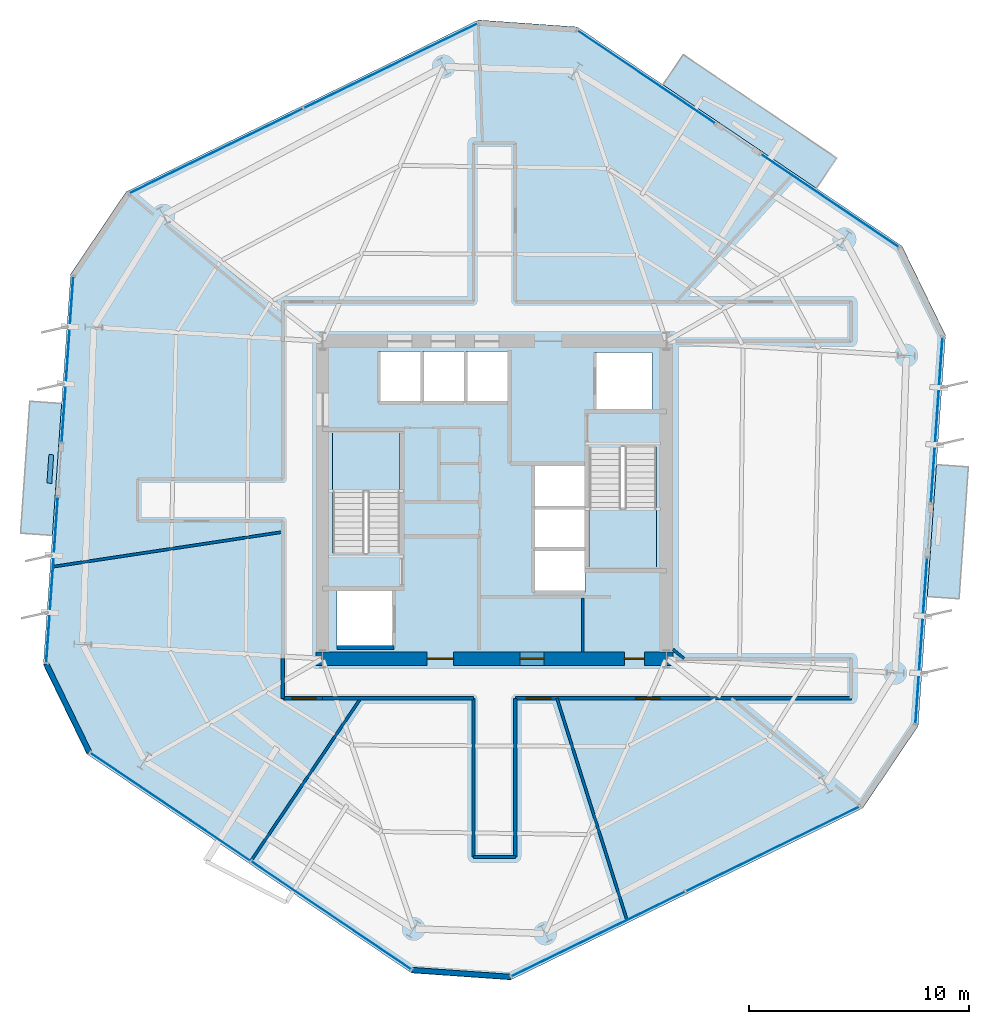
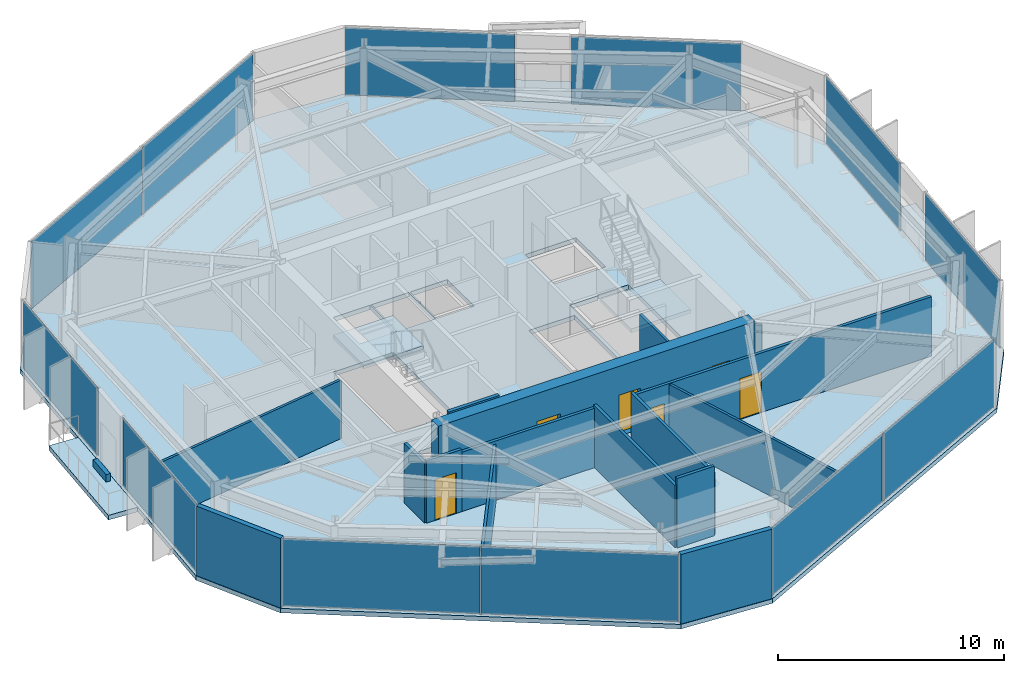
# One storey, part 6 of 14: 17 walls, 12 plates, 6 doors, 6 slabs, 6 openings, 11 elements without a shape of their own.
"""IFC4 building model written with IfcOpenShell, lengths in metres."""

import ifcopenshell
import ifcopenshell.guid

model = None  # the IFC model being written
_history = None  # IfcOwnerHistory: only IFC2X3 demands one
_inside = {}  # id of a spatial element -> (the spatial element, [elements in it])
_under = {}  # id of a project, library or spatial element -> (it, [spatial elements below it])
_declared = {}  # id of a project -> (the project, [libraries it declares])
_typed = {}  # id of a type object -> (the type object, [elements of that type])
_made_of = {}  # id of a material, layer set ... -> (it, [elements and type objects made of it])


def new_model(schema):
    """Start an empty IFC model of exactly this schema.

    Asked for "IFC4X3", IfcOpenShell would pick the latest addendum, in which some entities
    have other attributes; the version numbers below select the first issue.
    IFC2X3 requires an IfcOwnerHistory on every rooted entity: one is made here for all.
    """
    global model, _history
    if schema == "IFC4X3":
        model = ifcopenshell.file(schema_version=(4, 3, 0, 0))
    else:
        model = ifcopenshell.file(schema=schema)
    _inside.clear()
    _under.clear()
    _declared.clear()
    _typed.clear()
    _made_of.clear()
    _history = None
    if model.schema == "IFC2X3":
        org = make("IfcOrganization", Name="unknown")
        user = make(
            "IfcPersonAndOrganization",
            ThePerson=make("IfcPerson", FamilyName="unknown"),
            TheOrganization=org,
        )
        app = make(
            "IfcApplication",
            ApplicationDeveloper=org,
            Version="unknown",
            ApplicationFullName="unknown",
            ApplicationIdentifier="unknown",
        )
        _history = make(
            "IfcOwnerHistory",
            OwningUser=user,
            OwningApplication=app,
            ChangeAction="ADDED",
            CreationDate=0,
        )
    return model


def make(cls, **values):
    """One entity of the class cls with the attributes given. An attribute that is None is left unset."""
    return model.create_entity(
        cls, **{name: value for name, value in values.items() if value is not None}
    )


def rooted(cls, **values):
    """An entity with a GlobalId (a new one), such as an element, a storey or a relation."""
    return make(cls, GlobalId=ifcopenshell.guid.new(), OwnerHistory=_history, **values)


def si_unit(unit_type, name, prefix=None):
    """IfcSIUnit, for example si_unit("LENGTHUNIT", "METRE", prefix="MILLI")."""
    return make("IfcSIUnit", UnitType=unit_type, Prefix=prefix, Name=name)


def assignment(units):
    """IfcUnitAssignment: the units of a project."""
    return None if units is None else make("IfcUnitAssignment", Units=units)


def point(xyz):
    """IfcCartesianPoint."""
    return None if xyz is None else make("IfcCartesianPoint", Coordinates=xyz)


def direction(xyz):
    """IfcDirection."""
    return None if xyz is None else make("IfcDirection", DirectionRatios=xyz)


def frame(location, z_axis=None, x_axis=None):
    """IfcAxis2Placement3D, a coordinate frame: its origin and axes. An axis left out is left unset."""
    return make(
        "IfcAxis2Placement3D",
        Location=point(location),
        Axis=direction(z_axis),
        RefDirection=direction(x_axis),
    )


def frame_2d(location, x_axis=None):
    """IfcAxis2Placement2D, a coordinate frame in the plane: its origin and x axis."""
    return make(
        "IfcAxis2Placement2D", Location=point(location), RefDirection=direction(x_axis)
    )


def origin():
    """The frame at (0, 0, 0) with its axes left unset."""
    return frame((0.0, 0.0, 0.0))


def origin_2d():
    """The frame at (0, 0) in the plane with its x axis left unset."""
    return frame_2d((0.0, 0.0))


def place(relative_to, where):
    """IfcLocalPlacement: puts the frame where relative to a parent placement (None: the world)."""
    return make(
        "IfcLocalPlacement", PlacementRelTo=relative_to, RelativePlacement=where
    )


def context(
    kind, dimensions, precision=None, world=None, true_north=None, identifier=None
):
    """IfcGeometricRepresentationContext, for example the 3D "Model" context."""
    return make(
        "IfcGeometricRepresentationContext",
        ContextIdentifier=identifier,
        ContextType=kind,
        CoordinateSpaceDimension=dimensions,
        Precision=precision,
        WorldCoordinateSystem=world,
        TrueNorth=true_north,
    )


def subcontext(parent, identifier, kind, view, scale=None):
    """IfcGeometricRepresentationSubContext, for example "Body" below "Model"."""
    return make(
        "IfcGeometricRepresentationSubContext",
        ContextIdentifier=identifier,
        ContextType=kind,
        ParentContext=parent,
        TargetScale=scale,
        TargetView=view,
    )


def project(units=None, contexts=None):
    """IfcProject with its units and contexts."""
    return rooted(
        "IfcProject",
        Name="project",
        RepresentationContexts=contexts,
        UnitsInContext=assignment(units),
    )


def spatial(cls, under=None, at=None, **own):
    """A site, building, storey or space (cls), placed at a placement, below another one or the project."""
    s = rooted(cls, ObjectPlacement=at, **own)
    if under is not None:
        _under.setdefault(under.id(), (under, []))[1].append(s)
    return s


def polyline(points):
    """IfcPolyline through the points."""
    return make("IfcPolyline", Points=[point(p) for p in points])


def profile(cls, at=None, kind="AREA", **sizes):
    """A parametric profile (cls). Its sizes go by their IFC names, for example OverallWidth=200.0."""
    return make(cls, ProfileType=kind, Position=at, **sizes)


def rectangle(**sizes):
    """IfcRectangleProfileDef."""
    return profile("IfcRectangleProfileDef", **sizes)


def outline(outer, holes=None, kind="AREA"):
    """IfcArbitraryClosedProfileDef: a profile drawn as a closed curve; with holes, ...WithVoids."""
    if holes is None:
        return make("IfcArbitraryClosedProfileDef", ProfileType=kind, OuterCurve=outer)
    return make(
        "IfcArbitraryProfileDefWithVoids",
        ProfileType=kind,
        OuterCurve=outer,
        InnerCurves=holes,
    )


def extrude(swept, where, along, depth):
    """IfcExtrudedAreaSolid: the profile swept, set in the frame where, extruded along a direction by depth."""
    return make(
        "IfcExtrudedAreaSolid",
        SweptArea=swept,
        Position=where,
        ExtrudedDirection=direction(along),
        Depth=depth,
    )


def shape(context_of_items, identifier, shape_type, items):
    """IfcShapeRepresentation: the items that make up one representation, for example the "Body"."""
    return make(
        "IfcShapeRepresentation",
        ContextOfItems=context_of_items,
        RepresentationIdentifier=identifier,
        RepresentationType=shape_type,
        Items=items,
    )


def material(Name=None, Category=None):
    """IfcMaterial."""
    return make("IfcMaterial", Name=Name, Category=Category)


def layer(
    of_material, thickness, ventilated=None, Name=None, Category=None, Priority=None
):
    """IfcMaterialLayer: one layer of a wall or slab, of a material (None: an air gap)."""
    return make(
        "IfcMaterialLayer",
        Material=of_material,
        LayerThickness=thickness,
        IsVentilated=ventilated,
        Name=Name,
        Category=Category,
        Priority=Priority,
    )


def layer_set(layers, Name=None):
    """IfcMaterialLayerSet."""
    return make("IfcMaterialLayerSet", MaterialLayers=layers, LayerSetName=Name)


def made_of(thing, what):
    """Note that an element or type object is made of a material, layer set ...; save() writes the relation."""
    if what is not None:
        _made_of.setdefault(what.id(), (what, []))[1].append(thing)
    return thing


def type_object(cls, material=None, **own):
    """A type object (cls), such as IfcWallType, which elements share."""
    return made_of(rooted(cls, **own), material)


def element(
    cls,
    number,
    at=None,
    inside=None,
    cuts=None,
    type_object=None,
    material=None,
    context=None,
    identifier="Body",
    shape_type=None,
    held_by="IfcProductDefinitionShape",
    body=None,
    shapes=None,
    **own,
):
    """One element of the class cls, such as IfcWall. Its Tag is "e" and its number.

    at: its placement. inside: the storey or other place that contains it. cuts: it is an
    opening in that element (IfcRelVoidsElement). A single representation is given by context,
    identifier, shape_type and body (its items); several are given by shapes. held_by: the class
    of the entity that holds the representations. save() writes the other relations.
    """
    e = rooted(cls, Tag="e%d" % number, ObjectPlacement=at, **own)
    if body is not None:
        shapes = [shape(context, identifier, shape_type, body)]
    if shapes is not None:
        e.Representation = make(held_by, Representations=shapes)
    if inside is not None:
        _inside.setdefault(inside.id(), (inside, []))[1].append(e)
    if cuts is not None:
        rooted(
            "IfcRelVoidsElement", RelatingBuildingElement=cuts, RelatedOpeningElement=e
        )
    if type_object is not None:
        _typed.setdefault(type_object.id(), (type_object, []))[1].append(e)
    return made_of(e, material)


def fill(opening, filler):
    """IfcRelFillsElement: the door or window that sits in an opening."""
    return rooted(
        "IfcRelFillsElement",
        RelatingOpeningElement=opening,
        RelatedBuildingElement=filler,
    )


def aggregate(whole, parts):
    """IfcRelAggregates: a whole, such as a stair, and the parts it consists of."""
    return rooted("IfcRelAggregates", RelatingObject=whole, RelatedObjects=parts)


def save(model, path):
    """Write the relations noted so far, then the file.

    IfcRelAggregates (storeys below a building ...), IfcRelContainedInSpatialStructure (elements
    in a storey), IfcRelDefinesByType, IfcRelAssociatesMaterial and IfcRelDeclares: one each for
    every whole, place, type object, material and project.
    """
    for whole, parts in _under.values():
        aggregate(whole, parts)
    for where, things in _inside.values():
        rooted(
            "IfcRelContainedInSpatialStructure",
            RelatedElements=things,
            RelatingStructure=where,
        )
    for kind, things in _typed.values():
        rooted("IfcRelDefinesByType", RelatedObjects=things, RelatingType=kind)
    for what, things in _made_of.values():
        rooted("IfcRelAssociatesMaterial", RelatedObjects=things, RelatingMaterial=what)
    for by, libraries in _declared.values():
        rooted("IfcRelDeclares", RelatingContext=by, RelatedDefinitions=libraries)
    model.write(path)


model = new_model("IFC4")

# Units and contexts
model_context = context("Model", 3, precision=1e-05, world=origin(), true_north=direction((0.0, 1.0)))
body_context = subcontext(model_context, "Body", "Model", "MODEL_VIEW")
ifc_project = project(units=[si_unit("LENGTHUNIT", "METRE"), si_unit("AREAUNIT", "SQUARE_METRE"), si_unit("VOLUMEUNIT", "CUBIC_METRE"), si_unit("PLANEANGLEUNIT", "RADIAN"), si_unit("MASSUNIT", "GRAM", prefix="KILO")], contexts=[model_context])

# Site, building, storey
site_placement = place(None, origin())
site = spatial("IfcSite", under=ifc_project, at=site_placement, CompositionType="ELEMENT")
building_placement = place(site_placement, origin())
building = spatial("IfcBuilding", under=site, at=building_placement, Name="Kranzbogen Civic Tower", CompositionType="ELEMENT")
storey_placement = place(building_placement, frame((0.0, 0.0, 126.39990234375)))
storey = spatial("IfcBuildingStorey", under=building, at=storey_placement, Name="L30", CompositionType="ELEMENT", Elevation=126.39990234375)

# Slab
ifc_material_1 = material(Name="Concrete C40/50", Category="concrete")
ifc_layer_1 = layer(ifc_material_1, 0.239990234375, Name="Concrete C40/50")
ifc_layer_set_1 = layer_set([ifc_layer_1], Name="Concrete C40/50")
slab_type_1 = type_object("IfcSlabType", Name="Composite Lower Tower Floor Slab 240 mm", PredefinedType="FLOOR", material=ifc_layer_set_1)
slab_1_placement = place(storey_placement, frame((0.0, 0.0, -0.239990234375)))
element("IfcSlab", 1, at=slab_1_placement, inside=storey, type_object=slab_type_1, Name="L30 tower floor slab", PredefinedType="FLOOR", context=body_context, shape_type="SweptSolid", body=[
    extrude(outline(polyline([(43.4990234375, 36.52587890625), (28.757080078125, 46.469970703125), (24.26806640625, 46.783935546875), (8.284912109375, 38.988037109375), (5.76904296875, 35.258056640625), (4.528076171875, 17.51904296875), (6.5009765625, 13.47412109375), (21.242919921875, 3.530029296875), (25.73193359375, 3.216064453125), (41.715087890625, 11.011962890625), (44.23095703125, 14.741943359375), (45.471923828125, 32.48095703125), (43.4990234375, 36.52587890625)]), holes=[polyline([(20.449951171875, 20.89990234375), (20.449951171875, 18.300048828125), (17.85009765625, 18.300048828125), (17.85009765625, 20.89990234375), (20.449951171875, 20.89990234375)]), polyline([(29.10009765625, 22.699951171875), (29.10009765625, 20.800048828125), (26.75, 20.800048828125), (26.75, 22.699951171875), (29.10009765625, 22.699951171875)]), polyline([(29.10009765625, 24.64990234375), (29.10009765625, 22.77490234375), (26.75, 22.77490234375), (26.75, 24.64990234375), (26.75, 24.675048828125), (26.75, 26.550048828125), (29.10009765625, 26.550048828125), (29.10009765625, 24.675048828125), (29.10009765625, 24.64990234375)]), polyline([(30.75, 27.340087890625), (30.75, 27.39990234375), (32.35009765625, 27.39990234375), (32.35009765625, 21.89990234375), (29.300048828125, 21.89990234375), (29.300048828125, 27.340087890625), (30.75, 27.340087890625)]), polyline([(19.25, 22.659912109375), (19.25, 22.60009765625), (17.64990234375, 22.60009765625), (17.64990234375, 28.10009765625), (20.699951171875, 28.10009765625), (20.699951171875, 22.659912109375), (19.25, 22.659912109375)]), polyline([(32.14990234375, 31.699951171875), (32.14990234375, 29.10009765625), (29.550048828125, 29.10009765625), (29.550048828125, 31.699951171875), (32.14990234375, 31.699951171875)]), polyline([(21.64990234375, 31.75), (21.64990234375, 29.39990234375), (19.75, 29.39990234375), (19.75, 31.75), (21.64990234375, 31.75)]), polyline([(23.625, 29.39990234375), (21.72509765625, 29.39990234375), (21.72509765625, 31.75), (23.625, 31.75), (23.625, 29.39990234375)]), polyline([(25.60009765625, 29.39990234375), (23.699951171875, 29.39990234375), (23.699951171875, 31.75), (25.60009765625, 31.75), (25.60009765625, 29.39990234375)])]), origin(), (0.0, 0.0, 1.0), 0.239990234375),
])

# Curtain wall, plate
ifc_material_2 = material(Name="Pale Anodised Aluminium", Category="aluminium")
ifc_layer_2 = layer(ifc_material_2, 0.219970703125, Name="Pale Anodised Aluminium")
ifc_layer_set_2 = layer_set([ifc_layer_2], Name="Pale Anodised Aluminium")
curtain_wall_type = type_object("IfcCurtainWallType", Name="Zone 2 Stick Curtain Wall System CW-03", PredefinedType="USERDEFINED", material=ifc_layer_set_2)
curtain_wall_1_placement = place(storey_placement, origin())
curtain_wall_1 = element("IfcCurtainWall", 2, at=curtain_wall_1_placement, inside=storey, type_object=curtain_wall_type, Name="L30 curtain wall CW-L30-F1-S1", ObjectType="STICK CURTAIN WALL", PredefinedType="USERDEFINED")
ifc_material_3 = material(Name="Low-E Triple Glazing Glass", Category="glass")
ifc_layer_3 = layer(ifc_material_3, 0.031982421875, Name="Low-E Triple Glazing Glass")
ifc_layer_set_3 = layer_set([ifc_layer_3], Name="Low-E Triple Glazing Glass")
plate_type = type_object("IfcPlateType", Name="Insulated Low-E Glazing Panel 32 mm", PredefinedType="CURTAIN_PANEL", material=ifc_layer_set_3)
plate_1_placement = place(storey_placement, frame((40.215576171875, 38.58642578125, 0.06005859375), z_axis=(0.0, 0.0, 1.0), x_axis=(-0.829035410899, 0.559196108244, 0.0)))
plate_1 = element("IfcPlate", 3, at=plate_1_placement, type_object=plate_type, Name="CW-03 panel 1.1", PredefinedType="CURTAIN_PANEL", context=body_context, shape_type="SweptSolid", body=[
    extrude(rectangle(XDim=7.51416015625, YDim=0.028076171875, at=origin_2d()), origin(), (0.0, 0.0, 1.0), 3.639892578125),
])
aggregate(curtain_wall_1, [plate_1])

curtain_wall_2_placement = place(storey_placement, origin())
curtain_wall_2 = element("IfcCurtainWall", 4, at=curtain_wall_2_placement, inside=storey, type_object=curtain_wall_type, Name="L30 curtain wall CW-L30-F1-S2", ObjectType="STICK CURTAIN WALL", PredefinedType="USERDEFINED")
plate_2_placement = place(storey_placement, frame((31.8974609375, 44.197509765625, 0.06005859375), z_axis=(0.0, 0.0, 1.0), x_axis=(-0.829035410899, 0.559196108244, 0.0)))
plate_2 = element("IfcPlate", 5, at=plate_2_placement, type_object=plate_type, Name="CW-03 panel 1.1", PredefinedType="CURTAIN_PANEL", context=body_context, shape_type="SweptSolid", body=[
    extrude(rectangle(XDim=7.51416015625, YDim=0.028076171875, at=origin_2d()), origin(), (0.0, 0.0, 1.0), 3.639892578125),
])
aggregate(curtain_wall_2, [plate_2])

# Curtain wall, plates
curtain_wall_3_placement = place(storey_placement, origin())
curtain_wall_3 = element("IfcCurtainWall", 6, at=curtain_wall_3_placement, inside=storey, type_object=curtain_wall_type, Name="L30 curtain wall CW-L30-F2", ObjectType="STICK CURTAIN WALL", PredefinedType="USERDEFINED")
plate_3_placement = place(storey_placement, frame((20.289306640625, 44.700927734375, 0.06005859375), z_axis=(0.0, 0.0, 1.0), x_axis=(-0.8987869382, -0.438385720252, 0.0)))
plate_3 = element("IfcPlate", 7, at=plate_3_placement, type_object=plate_type, Name="CW-03 panel 1.1", PredefinedType="CURTAIN_PANEL", context=body_context, shape_type="SweptSolid", body=[
    extrude(rectangle(XDim=8.74462890625, YDim=0.028076171875, at=origin_2d()), origin(), (0.0, 0.0, 1.0), 3.639892578125),
])
plate_4_placement = place(storey_placement, frame((12.375732421875, 40.841064453125, 0.06005859375), z_axis=(0.0, 0.0, 1.0), x_axis=(-0.8987869382, -0.438385720252, 0.0)))
plate_4 = element("IfcPlate", 8, at=plate_4_placement, type_object=plate_type, Name="CW-03 panel 2.1", PredefinedType="CURTAIN_PANEL", context=body_context, shape_type="SweptSolid", body=[
    extrude(rectangle(XDim=8.74462890625, YDim=0.028076171875, at=origin_2d()), origin(), (0.0, 0.0, 1.0), 3.639892578125),
])
aggregate(curtain_wall_3, [plate_3, plate_4])

# Curtain wall, plate
curtain_wall_4_placement = place(storey_placement, origin())
curtain_wall_4 = element("IfcCurtainWall", 9, at=curtain_wall_4_placement, inside=storey, type_object=curtain_wall_type, Name="L30 curtain wall CW-L30-F3-S1", ObjectType="STICK CURTAIN WALL", PredefinedType="USERDEFINED")
plate_5_placement = place(storey_placement, frame((5.62646484375, 31.384033203125, 0.06005859375), z_axis=(0.0, 0.0, 1.0), x_axis=(-0.069813486474, -0.997560061904, 0.0)))
plate_5 = element("IfcPlate", 10, at=plate_5_placement, type_object=plate_type, Name="CW-03 panel 1.1", PredefinedType="CURTAIN_PANEL", context=body_context, shape_type="SweptSolid", body=[
    extrude(rectangle(XDim=7.5146484375, YDim=0.028076171875, at=origin_2d()), origin(), (0.0, 0.0, 1.0), 3.639892578125),
])
aggregate(curtain_wall_4, [plate_5])

curtain_wall_5_placement = place(storey_placement, origin())
curtain_wall_5 = element("IfcCurtainWall", 11, at=curtain_wall_5_placement, inside=storey, type_object=curtain_wall_type, Name="L30 curtain wall CW-L30-F3-S2", ObjectType="STICK CURTAIN WALL", PredefinedType="USERDEFINED")
plate_6_placement = place(storey_placement, frame((4.925537109375, 21.37451171875, 0.06005859375), z_axis=(0.0, 0.0, 1.0), x_axis=(-0.069822609681, -0.997559423382, 0.0)))
plate_6 = element("IfcPlate", 12, at=plate_6_placement, type_object=plate_type, Name="CW-03 panel 1.1", PredefinedType="CURTAIN_PANEL", context=body_context, shape_type="SweptSolid", body=[
    extrude(rectangle(XDim=7.513671875, YDim=0.028076171875, at=origin_2d()), origin(), (0.0, 0.0, 1.0), 3.639892578125),
])
aggregate(curtain_wall_5, [plate_6])

# Curtain wall, plates
curtain_wall_6_placement = place(storey_placement, origin())
curtain_wall_6 = element("IfcCurtainWall", 13, at=curtain_wall_6_placement, inside=storey, type_object=curtain_wall_type, Name="L30 curtain wall CW-L30-F4", ObjectType="STICK CURTAIN WALL", PredefinedType="USERDEFINED")
plate_7_placement = place(storey_placement, frame((10.294189453125, 11.069580078125, 0.06005859375), z_axis=(0.0, 0.0, 1.0), x_axis=(0.829025141308, -0.55921133311, 0.0)))
plate_7 = element("IfcPlate", 14, at=plate_7_placement, type_object=plate_type, Name="CW-03 panel 1.1", PredefinedType="CURTAIN_PANEL", context=body_context, shape_type="SweptSolid", body=[
    extrude(rectangle(XDim=8.743896484375, YDim=0.028076171875, at=origin_2d()), origin(), (0.0, 0.0, 1.0), 3.639892578125),
])
plate_8_placement = place(storey_placement, frame((17.5927734375, 6.146484375, 0.06005859375), z_axis=(0.0, 0.0, 1.0), x_axis=(0.829025141308, -0.55921133311, 0.0)))
plate_8 = element("IfcPlate", 15, at=plate_8_placement, type_object=plate_type, Name="CW-03 panel 2.1", PredefinedType="CURTAIN_PANEL", context=body_context, shape_type="SweptSolid", body=[
    extrude(rectangle(XDim=8.743896484375, YDim=0.028076171875, at=origin_2d()), origin(), (0.0, 0.0, 1.0), 3.639892578125),
])
aggregate(curtain_wall_6, [plate_7, plate_8])

curtain_wall_7_placement = place(storey_placement, origin())
curtain_wall_7 = element("IfcCurtainWall", 16, at=curtain_wall_7_placement, inside=storey, type_object=curtain_wall_type, Name="L30 curtain wall CW-L30-F5", ObjectType="STICK CURTAIN WALL", PredefinedType="USERDEFINED")
plate_9_placement = place(storey_placement, frame((29.710693359375, 5.299072265625, 0.06005859375), z_axis=(0.0, 0.0, 1.0), x_axis=(0.8987869382, 0.438385720252, 0.0)))
plate_9 = element("IfcPlate", 17, at=plate_9_placement, type_object=plate_type, Name="CW-03 panel 1.1", PredefinedType="CURTAIN_PANEL", context=body_context, shape_type="SweptSolid", body=[
    extrude(rectangle(XDim=8.74462890625, YDim=0.028076171875, at=origin_2d()), origin(), (0.0, 0.0, 1.0), 3.639892578125),
])
plate_10_placement = place(storey_placement, frame((37.624267578125, 9.158935546875, 0.06005859375), z_axis=(0.0, 0.0, 1.0), x_axis=(0.8987869382, 0.438385720252, 0.0)))
plate_10 = element("IfcPlate", 18, at=plate_10_placement, type_object=plate_type, Name="CW-03 panel 2.1", PredefinedType="CURTAIN_PANEL", context=body_context, shape_type="SweptSolid", body=[
    extrude(rectangle(XDim=8.74462890625, YDim=0.028076171875, at=origin_2d()), origin(), (0.0, 0.0, 1.0), 3.639892578125),
])
aggregate(curtain_wall_7, [plate_9, plate_10])

# Curtain wall, plate
curtain_wall_8_placement = place(storey_placement, origin())
curtain_wall_8 = element("IfcCurtainWall", 19, at=curtain_wall_8_placement, inside=storey, type_object=curtain_wall_type, Name="L30 curtain wall CW-L30-F6-S1", ObjectType="STICK CURTAIN WALL", PredefinedType="USERDEFINED")
plate_11_placement = place(storey_placement, frame((44.37353515625, 18.615966796875, 0.06005859375), z_axis=(0.0, 0.0, 1.0), x_axis=(0.069813486474, 0.997560061904, 0.0)))
plate_11 = element("IfcPlate", 20, at=plate_11_placement, type_object=plate_type, Name="CW-03 panel 1.1", PredefinedType="CURTAIN_PANEL", context=body_context, shape_type="SweptSolid", body=[
    extrude(rectangle(XDim=7.5146484375, YDim=0.028076171875, at=origin_2d()), origin(), (0.0, 0.0, 1.0), 3.639892578125),
])
aggregate(curtain_wall_8, [plate_11])

curtain_wall_9_placement = place(storey_placement, origin())
curtain_wall_9 = element("IfcCurtainWall", 21, at=curtain_wall_9_placement, inside=storey, type_object=curtain_wall_type, Name="L30 curtain wall CW-L30-F6-S2", ObjectType="STICK CURTAIN WALL", PredefinedType="USERDEFINED")
plate_12_placement = place(storey_placement, frame((45.074462890625, 28.62548828125, 0.06005859375), z_axis=(0.0, 0.0, 1.0), x_axis=(0.069822609681, 0.997559423382, 0.0)))
plate_12 = element("IfcPlate", 22, at=plate_12_placement, type_object=plate_type, Name="CW-03 panel 1.1", PredefinedType="CURTAIN_PANEL", context=body_context, shape_type="SweptSolid", body=[
    extrude(rectangle(XDim=7.513671875, YDim=0.028076171875, at=origin_2d()), origin(), (0.0, 0.0, 1.0), 3.639892578125),
])
aggregate(curtain_wall_9, [plate_12])

# Stair, slab
ifc_material_4 = material(Name="Precast concrete C40/50", Category="concrete")
stair_type_1 = type_object("IfcStairType", Name="Tower Core Pressurized Dogleg Stair 1450", PredefinedType="HALF_TURN_STAIR", material=ifc_material_4)
stair_1_placement = place(storey_placement, origin())
stair_1 = element("IfcStair", 23, at=stair_1_placement, inside=storey, type_object=stair_type_1, Name="L30 Tower Core Pressurized Stair 1", PredefinedType="HALF_TURN_STAIR")
ifc_layer_4 = layer(ifc_material_4, 0.199951171875, Name="Precast concrete C40/50")
ifc_layer_set_4 = layer_set([ifc_layer_4], Name="Precast concrete C40/50")
slab_type_2 = type_object("IfcSlabType", Name="Precast Concrete Stair Landing Slab 200 mm", PredefinedType="LANDING", material=ifc_layer_set_4)
slab_2_placement = place(storey_placement, frame((0.0, 0.0, 1.800048828125)))
slab_2 = element("IfcSlab", 24, at=slab_2_placement, type_object=slab_type_2, Name="ST-T1 landing 1", PredefinedType="LANDING", context=body_context, shape_type="SweptSolid", body=[
    extrude(outline(polyline([(20.699951171875, 25.39990234375), (20.699951171875, 28.10009765625), (17.64990234375, 28.10009765625), (17.64990234375, 25.39990234375), (20.699951171875, 25.39990234375)])), origin(), (0.0, 0.0, 1.0), 0.199951171875),
])
aggregate(stair_1, [slab_2])

stair_type_2 = type_object("IfcStairType", Name="Tower Core Secondary Dogleg Stair 1450", PredefinedType="HALF_TURN_STAIR", material=ifc_material_4)
stair_2_placement = place(storey_placement, origin())
stair_2 = element("IfcStair", 25, at=stair_2_placement, inside=storey, type_object=stair_type_2, Name="L30 Tower Core Pressurized Stair 2", PredefinedType="HALF_TURN_STAIR")
slab_3_placement = place(storey_placement, frame((0.0, 0.0, 1.800048828125)))
slab_3 = element("IfcSlab", 26, at=slab_3_placement, type_object=slab_type_2, Name="ST-T2 landing 1", PredefinedType="LANDING", context=body_context, shape_type="SweptSolid", body=[
    extrude(outline(polyline([(29.300048828125, 24.60009765625), (29.300048828125, 21.89990234375), (32.35009765625, 21.89990234375), (32.35009765625, 24.60009765625), (29.300048828125, 24.60009765625)])), origin(), (0.0, 0.0, 1.0), 0.199951171875),
])
aggregate(stair_2, [slab_3])

# Slabs
ifc_layer_5 = layer(ifc_material_1, 0.280029296875, Name="Concrete C40/50")
ifc_layer_set_5 = layer_set([ifc_layer_5], Name="Concrete C40/50")
slab_type_3 = type_object("IfcSlabType", Name="Spiral Terrace Cantilevered Slab 280 mm", PredefinedType="FLOOR", material=ifc_layer_set_5)
slab_4_placement = place(storey_placement, frame((0.0, 0.0, -0.27978515625)))
element("IfcSlab", 27, at=slab_4_placement, inside=storey, type_object=slab_type_3, Name="L30 cantilevered spiral terrace L30-ST", PredefinedType="FLOOR", context=body_context, shape_type="SweptSolid", body=[
    extrude(outline(polyline([(39.610107421875, 39.14892578125), (32.64599609375, 43.845947265625), (33.569091796875, 45.214111328125), (40.532958984375, 40.51708984375), (39.610107421875, 39.14892578125)])), origin(), (0.0, 0.0, 1.0), 0.27978515625),
])
ifc_layer_6 = layer(ifc_material_1, 0.25, Name="Concrete C40/50")
ifc_layer_set_6 = layer_set([ifc_layer_6], Name="Concrete C40/50")
slab_type_4 = type_object("IfcSlabType", Name="Tree Balcony Cantilevered Slab 250 mm", PredefinedType="FLOOR", material=ifc_layer_set_6)
slab_5_placement = place(storey_placement, frame((0.0, 0.0, -0.25)))
element("IfcSlab", 28, at=slab_5_placement, inside=storey, type_object=slab_type_4, Name="L30 cantilevered tree balcony L30-TB1", PredefinedType="FLOOR", context=body_context, shape_type="SweptSolid", body=[
    extrude(outline(polyline([(5.35791015625, 29.381103515625), (4.93896484375, 23.39501953125), (3.492919921875, 23.49609375), (3.912109375, 29.48193359375), (5.35791015625, 29.381103515625)])), origin(), (0.0, 0.0, 1.0), 0.25),
])
slab_6_placement = place(storey_placement, frame((0.0, 0.0, -0.25)))
element("IfcSlab", 29, at=slab_6_placement, inside=storey, type_object=slab_type_4, Name="L30 cantilevered tree balcony L30-TB2", PredefinedType="FLOOR", context=body_context, shape_type="SweptSolid", body=[
    extrude(outline(polyline([(44.64208984375, 20.618896484375), (45.06103515625, 26.60498046875), (46.507080078125, 26.50390625), (46.087890625, 20.51806640625), (44.64208984375, 20.618896484375)])), origin(), (0.0, 0.0, 1.0), 0.25),
])

# Wall, opening, door
ifc_material_5 = material(Name="Double-Stud Acoustic Gypsum Partition")
ifc_layer_7 = layer(ifc_material_5, 0.14990234375, Name="Double-Stud Acoustic Gypsum Partition")
ifc_layer_set_7 = layer_set([ifc_layer_7], Name="Double-Stud Acoustic Gypsum Partition")
wall_type_1 = type_object("IfcWallType", Name="Acoustic Corridor and Clinical Partition 150 mm", PredefinedType="PARTITIONING", material=ifc_layer_set_7)
wall_1_placement = place(storey_placement, frame((17.199951171875, 16.0, 0.0), z_axis=(0.0, 0.0, 1.0), x_axis=(-1.0, 0.0, 0.0)))
wall_1 = element("IfcWall", 30, at=wall_1_placement, inside=storey, type_object=wall_type_1, Name="L30 corridor partition 01", PredefinedType="PARTITIONING", context=body_context, shape_type="SweptSolid", body=[
    extrude(rectangle(XDim=1.800048828125, YDim=0.14990234375, at=frame_2d((0.89990234375, 0.0))), origin(), (0.0, 0.0, 1.0), 3.360107421875),
])
opening_1_placement = place(wall_1_placement, frame((0.287109375, 0.0, 0.0)))
opening_1 = element("IfcOpeningElement", 31, at=opening_1_placement, cuts=wall_1, Name="Opening D-COR60", PredefinedType="OPENING", context=body_context, shape_type="SweptSolid", body=[
    extrude(rectangle(XDim=1.10009765625, YDim=2.199951171875, at=frame_2d((0.550048828125, 1.10009765625))), frame((0.0, 0.0849609375, 0.0), z_axis=(0.0, -1.0, 0.0), x_axis=(1.0, 0.0, 0.0)), (0.0, 0.0, 1.0), 0.169921875),
])
ifc_material_6 = material(Name="Oak Timber and Fire Core", Category="wood")
door_type_1 = type_object("IfcDoorType", Name="Corridor Acoustic Fire Door 1100x2200", OperationType="NOTDEFINED", PredefinedType="DOOR", material=ifc_material_6)
door_1_placement = place(opening_1_placement, origin())
door_1 = element("IfcDoor", 32, at=door_1_placement, inside=storey, type_object=door_type_1, Name="L30 Executive Briefing Conference Room door", OperationType="SINGLE_SWING_LEFT", OverallHeight=2.199951171875, OverallWidth=1.10009765625, PredefinedType="DOOR", context=body_context, shape_type="SweptSolid", body=[
    extrude(rectangle(XDim=1.10009765625, YDim=2.199951171875, at=frame_2d((0.550048828125, 1.10009765625))), frame((0.0, 0.02490234375, 0.0), z_axis=(0.0, -1.0, 0.0), x_axis=(1.0, 0.0, 0.0)), (0.0, 0.0, 1.0), 0.050048828125),
])
fill(opening_1, door_1)

# Wall
wall_2_placement = place(storey_placement, frame((15.39990234375, 16.0, 0.0), z_axis=(0.0, 0.0, 1.0), x_axis=(0.0, 1.0, 0.0)))
element("IfcWall", 33, at=wall_2_placement, inside=storey, type_object=wall_type_1, Name="L30 corridor partition 02", PredefinedType="PARTITIONING", context=body_context, shape_type="SweptSolid", body=[
    extrude(rectangle(XDim=1.800048828125, YDim=0.14990234375, at=frame_2d((0.89990234375, 0.0))), origin(), (0.0, 0.0, 1.0), 3.210205078125),
])

# Wall, openings, doors
wall_3_placement = place(storey_placement, frame((41.199951171875, 16.0, 0.0), z_axis=(0.0, 0.0, 1.0), x_axis=(-1.0, 0.0, 0.0)))
wall_3 = element("IfcWall", 34, at=wall_3_placement, inside=storey, type_object=wall_type_1, Name="L30 corridor partition 19", PredefinedType="PARTITIONING", context=body_context, shape_type="SweptSolid", body=[
    extrude(rectangle(XDim=15.25, YDim=0.14990234375, at=frame_2d((7.625, 0.0))), origin(), (0.0, 0.0, 1.0), 3.210205078125),
])
opening_2_placement = place(wall_3_placement, frame((13.64794921875, 0.0, 0.0)))
opening_2 = element("IfcOpeningElement", 35, at=opening_2_placement, cuts=wall_3, Name="Opening D-COR60", PredefinedType="OPENING", context=body_context, shape_type="SweptSolid", body=[
    extrude(rectangle(XDim=1.10009765625, YDim=2.199951171875, at=frame_2d((0.550048828125, 1.10009765625))), frame((0.0, 0.0849609375, 0.0), z_axis=(0.0, -1.0, 0.0), x_axis=(1.0, 0.0, 0.0)), (0.0, 0.0, 1.0), 0.169921875),
])
opening_3_placement = place(wall_3_placement, frame((8.68798828125, 0.0, 0.0)))
opening_3 = element("IfcOpeningElement", 36, at=opening_3_placement, cuts=wall_3, Name="Opening D-COR60", PredefinedType="OPENING", context=body_context, shape_type="SweptSolid", body=[
    extrude(rectangle(XDim=1.10009765625, YDim=2.199951171875, at=frame_2d((0.550048828125, 1.10009765625))), frame((0.0, 0.0849609375, 0.0), z_axis=(0.0, -1.0, 0.0), x_axis=(1.0, 0.0, 0.0)), (0.0, 0.0, 1.0), 0.169921875),
])
door_2_placement = place(opening_2_placement, origin())
door_2 = element("IfcDoor", 37, at=door_2_placement, inside=storey, type_object=door_type_1, Name="L30 Parliamentary Review Boardroom door", OperationType="SINGLE_SWING_RIGHT", OverallHeight=2.199951171875, OverallWidth=1.10009765625, PredefinedType="DOOR", context=body_context, shape_type="SweptSolid", body=[
    extrude(rectangle(XDim=1.10009765625, YDim=2.199951171875, at=frame_2d((0.550048828125, 1.10009765625))), frame((0.0, 0.02490234375, 0.0), z_axis=(0.0, -1.0, 0.0), x_axis=(1.0, 0.0, 0.0)), (0.0, 0.0, 1.0), 0.050048828125),
])
fill(opening_2, door_2)
door_3_placement = place(opening_3_placement, origin())
door_3 = element("IfcDoor", 38, at=door_3_placement, inside=storey, type_object=door_type_1, Name="L30 Policy Seminar Room door", OperationType="SINGLE_SWING_LEFT", OverallHeight=2.199951171875, OverallWidth=1.10009765625, PredefinedType="DOOR", context=body_context, shape_type="SweptSolid", body=[
    extrude(rectangle(XDim=1.10009765625, YDim=2.199951171875, at=frame_2d((0.550048828125, 1.10009765625))), frame((0.0, 0.02490234375, 0.0), z_axis=(0.0, -1.0, 0.0), x_axis=(1.0, 0.0, 0.0)), (0.0, 0.0, 1.0), 0.050048828125),
])
fill(opening_3, door_3)

# Walls
wall_4_placement = place(storey_placement, frame((25.949951171875, 16.0, 0.0), z_axis=(0.0, 0.0, 1.0), x_axis=(0.0, -1.0, 0.0)))
element("IfcWall", 39, at=wall_4_placement, inside=storey, type_object=wall_type_1, Name="L30 corridor partition 20", PredefinedType="PARTITIONING", context=body_context, shape_type="SweptSolid", body=[
    extrude(rectangle(XDim=7.199951171875, YDim=0.14990234375, at=frame_2d((3.60009765625, 0.0))), origin(), (0.0, 0.0, 1.0), 3.360107421875),
])
wall_5_placement = place(storey_placement, frame((25.949951171875, 8.800048828125, 0.0), z_axis=(0.0, 0.0, 1.0), x_axis=(-1.0, 0.0, 0.0)))
element("IfcWall", 40, at=wall_5_placement, inside=storey, type_object=wall_type_1, Name="L30 corridor partition 21", PredefinedType="PARTITIONING", context=body_context, shape_type="SweptSolid", body=[
    extrude(rectangle(XDim=1.89990234375, YDim=0.14990234375, at=frame_2d((0.949951171875, 0.0))), origin(), (0.0, 0.0, 1.0), 3.760009765625),
])
wall_6_placement = place(storey_placement, frame((24.050048828125, 8.800048828125, 0.0), z_axis=(0.0, 0.0, 1.0), x_axis=(0.0, 1.0, 0.0)))
element("IfcWall", 41, at=wall_6_placement, inside=storey, type_object=wall_type_1, Name="L30 corridor partition 22", PredefinedType="PARTITIONING", context=body_context, shape_type="SweptSolid", body=[
    extrude(rectangle(XDim=7.199951171875, YDim=0.14990234375, at=frame_2d((3.60009765625, 0.0))), origin(), (0.0, 0.0, 1.0), 3.360107421875),
])
wall_7_placement = place(storey_placement, frame((24.050048828125, 16.0, 0.0), z_axis=(0.0, 0.0, 1.0), x_axis=(-1.0, 0.0, 0.0)))
element("IfcWall", 42, at=wall_7_placement, inside=storey, type_object=wall_type_1, Name="L30 corridor partition 23", PredefinedType="PARTITIONING", context=body_context, shape_type="SweptSolid", body=[
    extrude(rectangle(XDim=6.85009765625, YDim=0.14990234375, at=frame_2d((3.425048828125, 0.0))), origin(), (0.0, 0.0, 1.0), 3.210205078125),
])
ifc_material_7 = material(Name="Insulated Metal-Stud Gypsum Partition")
ifc_layer_8 = layer(ifc_material_7, 0.125, Name="Insulated Metal-Stud Gypsum Partition")
ifc_layer_set_8 = layer_set([ifc_layer_8], Name="Insulated Metal-Stud Gypsum Partition")
wall_type_2 = type_object("IfcWallType", Name="Acoustic Inter-Room Partition 125 mm", PredefinedType="PARTITIONING", material=ifc_layer_set_8)
wall_8_placement = place(storey_placement, frame((29.010009765625, 18.10009765625, 0.0), z_axis=(0.0, 0.0, 1.0), x_axis=(0.0, 1.0, 0.0)))
element("IfcWall", 43, at=wall_8_placement, inside=storey, type_object=wall_type_2, Name="L30 core auxiliary partition 1", PredefinedType="PARTITIONING", context=body_context, shape_type="SweptSolid", body=[
    extrude(rectangle(XDim=2.449951171875, YDim=0.125, at=frame_2d((1.22509765625, 0.0))), origin(), (0.0, 0.0, 1.0), 3.760009765625),
])
wall_9_placement = place(storey_placement, frame((15.39990234375, 23.550048828125, 0.0), z_axis=(0.0, 0.0, 1.0), x_axis=(-0.988772027517, -0.14943184935, 0.0)))
element("IfcWall", 44, at=wall_9_placement, inside=storey, type_object=wall_type_2, Name="L30 radial room partition 04", PredefinedType="PARTITIONING", context=body_context, shape_type="SweptSolid", body=[
    extrude(rectangle(XDim=10.532958984375, YDim=0.125, at=frame_2d((5.2666015625, 0.0))), origin(), (0.0, 0.0, 1.0), 3.16015625),
])
wall_10_placement = place(storey_placement, frame((18.928955078125, 16.0, 0.0), z_axis=(0.0, 0.0, 1.0), x_axis=(-0.559161840845, -0.829058523714, 0.0)))
element("IfcWall", 45, at=wall_10_placement, inside=storey, type_object=wall_type_2, Name="L30 radial room partition 05", PredefinedType="PARTITIONING", context=body_context, shape_type="SweptSolid", body=[
    extrude(rectangle(XDim=8.899169921875, YDim=0.125, at=frame_2d((4.44970703125, 0.0))), origin(), (0.0, 0.0, 1.0), 3.050048828125),
])
wall_11_placement = place(storey_placement, frame((27.840087890625, 16.0, 0.0), z_axis=(0.0, 0.0, 1.0), x_axis=(0.300858550785, -0.953668775005, 0.0)))
element("IfcWall", 46, at=wall_11_placement, inside=storey, type_object=wall_type_2, Name="L30 radial room partition 06", PredefinedType="PARTITIONING", context=body_context, shape_type="SweptSolid", body=[
    extrude(rectangle(XDim=10.5361328125, YDim=0.125, at=frame_2d((5.26806640625, 0.0))), origin(), (0.0, 0.0, 1.0), 3.16015625),
])
wall_12_placement = place(storey_placement, frame((33.10009765625, 18.220947265625, 0.0), z_axis=(0.0, 0.0, 1.0), x_axis=(0.76748927859, -0.641061781148, 0.0)))
element("IfcWall", 47, at=wall_12_placement, inside=storey, type_object=wall_type_2, Name="L30 radial room partition 07", PredefinedType="PARTITIONING", context=body_context, shape_type="SweptSolid", body=[
    extrude(rectangle(XDim=0.656494140625, YDim=0.125, at=frame_2d((0.328125, 0.0))), origin(), (0.0, 0.0, 1.0), 3.210205078125),
])
ifc_material_8 = material(Name="Architectural Precast Terracotta Concrete C40/50", Category="masonry")
ifc_layer_9 = layer(ifc_material_8, 0.219970703125, Name="Architectural Precast Terracotta Concrete C40/50")
ifc_layer_set_9 = layer_set([ifc_layer_9], Name="Architectural Precast Terracotta Concrete C40/50")
wall_type_3 = type_object("IfcWallType", Name="Architectural Tree Planter Kerb Wall 220 mm", PredefinedType="USERDEFINED", material=ifc_layer_set_9)
wall_13_placement = place(storey_placement, frame((4.889892578125, 27.056884765625, 0.0), z_axis=(0.0, 0.0, 1.0), x_axis=(-0.069163294949, -0.997605352147, 0.0)))
element("IfcWall", 48, at=wall_13_placement, inside=storey, type_object=wall_type_3, Name="L30 landscaped tree balcony planter L30-TB1", ObjectType="PLANTER_WALL", PredefinedType="USERDEFINED", context=body_context, shape_type="SweptSolid", body=[
    extrude(rectangle(XDim=1.299072265625, YDim=0.219970703125, at=frame_2d((0.6494140625, 0.0))), origin(), (0.0, 0.0, 1.0), 0.400146484375),
])

# Wall, openings, doors
ifc_material_9 = material(Name="Concrete C55/67", Category="concrete")
ifc_layer_10 = layer(ifc_material_9, 0.60009765625, Name="Concrete C55/67")
ifc_layer_set_10 = layer_set([ifc_layer_10], Name="Concrete C55/67")
wall_type_4 = type_object("IfcWallType", Name="Central Core Shear Wall 600 mm", PredefinedType="SHEAR", material=ifc_layer_set_10)
wall_14_placement = place(storey_placement, frame((16.89990234375, 17.800048828125, 0.0), z_axis=(0.0, 0.0, 1.0), x_axis=(1.0, 0.0, 0.0)))
wall_14 = element("IfcWall", 49, at=wall_14_placement, inside=storey, type_object=wall_type_4, Name="L30 central core South shear wall", PredefinedType="SHEAR", context=body_context, shape_type="SweptSolid", body=[
    extrude(rectangle(XDim=16.2001953125, YDim=0.60009765625, at=frame_2d((8.10009765625, 0.0))), origin(), (0.0, 0.0, 1.0), 3.760009765625),
])
opening_4_placement = place(wall_14_placement, frame((5.050048828125, 0.0, 0.0)))
opening_4 = element("IfcOpeningElement", 50, at=opening_4_placement, cuts=wall_14, Name="Opening D-EX120", PredefinedType="OPENING", context=body_context, shape_type="SweptSolid", body=[
    extrude(rectangle(XDim=1.199951171875, YDim=2.25, at=frame_2d((0.60009765625, 1.125))), frame((0.0, 0.31005859375, 0.0), z_axis=(0.0, -1.0, 0.0), x_axis=(1.0, 0.0, 0.0)), (0.0, 0.0, 1.0), 0.6201171875),
])
opening_5_placement = place(wall_14_placement, frame((14.0, 0.0, 0.0)))
opening_5 = element("IfcOpeningElement", 51, at=opening_5_placement, cuts=wall_14, Name="Opening D-WC90", PredefinedType="OPENING", context=body_context, shape_type="SweptSolid", body=[
    extrude(rectangle(XDim=0.89990234375, YDim=2.10009765625, at=frame_2d((0.449951171875, 1.050048828125))), frame((0.0, 0.31005859375, 0.0), z_axis=(0.0, -1.0, 0.0), x_axis=(1.0, 0.0, 0.0)), (0.0, 0.0, 1.0), 0.6201171875),
])
opening_6_placement = place(wall_14_placement, frame((9.25, 0.0, 0.0)))
opening_6 = element("IfcOpeningElement", 52, at=opening_6_placement, cuts=wall_14, Name="Opening D-COR60", PredefinedType="OPENING", context=body_context, shape_type="SweptSolid", body=[
    extrude(rectangle(XDim=1.10009765625, YDim=2.199951171875, at=frame_2d((0.550048828125, 1.10009765625))), frame((0.0, 0.31005859375, 0.0), z_axis=(0.0, -1.0, 0.0), x_axis=(1.0, 0.0, 0.0)), (0.0, 0.0, 1.0), 0.6201171875),
])
door_4_placement = place(opening_6_placement, origin())
door_4 = element("IfcDoor", 53, at=door_4_placement, inside=storey, type_object=door_type_1, Name="L30 REC1 archive room door", OperationType="SINGLE_SWING_RIGHT", OverallHeight=2.199951171875, OverallWidth=1.10009765625, PredefinedType="DOOR", context=body_context, shape_type="SweptSolid", body=[
    extrude(rectangle(XDim=1.10009765625, YDim=2.199951171875, at=frame_2d((0.550048828125, 1.10009765625))), frame((0.0, 0.02490234375, 0.0), z_axis=(0.0, -1.0, 0.0), x_axis=(1.0, 0.0, 0.0)), (0.0, 0.0, 1.0), 0.050048828125),
])
fill(opening_6, door_4)
ifc_material_10 = material(Name="Steel S355", Category="steel")
door_type_2 = type_object("IfcDoorType", Name="Exit Passageway Fire Door 1200x2250", OperationType="NOTDEFINED", PredefinedType="DOOR", material=ifc_material_10)
door_5_placement = place(opening_4_placement, origin())
door_5 = element("IfcDoor", 54, at=door_5_placement, inside=storey, type_object=door_type_2, Name="L30 West firefighting lobby corridor door", OperationType="SINGLE_SWING_LEFT", OverallHeight=2.25, OverallWidth=1.199951171875, PredefinedType="DOOR", context=body_context, shape_type="SweptSolid", body=[
    extrude(rectangle(XDim=1.199951171875, YDim=2.25, at=frame_2d((0.60009765625, 1.125))), frame((0.0, 0.02490234375, 0.0), z_axis=(0.0, -1.0, 0.0), x_axis=(1.0, 0.0, 0.0)), (0.0, 0.0, 1.0), 0.050048828125),
])
fill(opening_4, door_5)
ifc_material_11 = material(Name="Moisture-Resistant Laminate")
door_type_3 = type_object("IfcDoorType", Name="Standard Restroom and Store Door 900x2100", OperationType="NOTDEFINED", PredefinedType="DOOR", material=ifc_material_11)
door_6_placement = place(opening_5_placement, origin())
door_6 = element("IfcDoor", 55, at=door_6_placement, inside=storey, type_object=door_type_3, Name="L30 East electrical riser access door", OperationType="SINGLE_SWING_LEFT", OverallHeight=2.10009765625, OverallWidth=0.89990234375, PredefinedType="DOOR", context=body_context, shape_type="SweptSolid", body=[
    extrude(rectangle(XDim=0.89990234375, YDim=2.10009765625, at=frame_2d((0.449951171875, 1.050048828125))), frame((0.0, 0.02490234375, 0.0), z_axis=(0.0, -1.0, 0.0), x_axis=(1.0, 0.0, 0.0)), (0.0, 0.0, 1.0), 0.050048828125),
])
fill(opening_5, door_6)

# Walls
ifc_material_12 = material(Name="Gypsum Fireboard Shaftliner")
ifc_layer_11 = layer(ifc_material_12, 0.175048828125, Name="Gypsum Fireboard Shaftliner")
ifc_layer_set_11 = layer_set([ifc_layer_11], Name="Gypsum Fireboard Shaftliner")
wall_type_5 = type_object("IfcWallType", Name="Fire-Rated Lift and Service Shaft Wall 175 mm", PredefinedType="PARTITIONING", material=ifc_layer_set_11)
wall_15_placement = place(storey_placement, frame((17.85009765625, 18.300048828125, 0.0), z_axis=(0.0, 0.0, 1.0), x_axis=(1.0, 0.0, 0.0)))
element("IfcWall", 56, at=wall_15_placement, inside=storey, type_object=wall_type_5, Name="L30 lift FF-01 side wall", PredefinedType="PARTITIONING", context=body_context, shape_type="SweptSolid", body=[
    extrude(rectangle(XDim=2.599853515625, YDim=0.175048828125, at=frame_2d((1.2998046875, 0.0))), origin(), (0.0, 0.0, 1.0), 3.760009765625),
])
ifc_layer_12 = layer(ifc_material_2, 0.239990234375, Name="Pale Anodised Aluminium")
ifc_layer_set_12 = layer_set([ifc_layer_12], Name="Pale Anodised Aluminium")
wall_type_6 = type_object("IfcWallType", Name="Insulated Aluminium Facade Portal Wall 240 mm", PredefinedType="STANDARD", material=ifc_layer_set_12)
wall_16_placement = place(storey_placement, frame((4.658935546875, 17.56689453125, 0.0), z_axis=(0.0, 0.0, 1.0), x_axis=(0.438566687479, -0.898698648399, 0.0)))
element("IfcWall", 57, at=wall_16_placement, inside=storey, type_object=wall_type_6, Name="L30 chamfered corner facade spandrel 3", PredefinedType="STANDARD", context=body_context, shape_type="SweptSolid", body=[
    extrude(rectangle(XDim=4.4716796875, YDim=0.239990234375, at=frame_2d((2.23583984375, 0.0))), origin(), (0.0, 0.0, 1.0), 3.760009765625),
])
wall_17_placement = place(storey_placement, frame((21.26708984375, 3.66796875, 0.0), z_axis=(0.0, 0.0, 1.0), x_axis=(0.997561857217, -0.069787828636, 0.0)))
element("IfcWall", 58, at=wall_17_placement, inside=storey, type_object=wall_type_6, Name="L30 chamfered corner facade spandrel 4", PredefinedType="STANDARD", context=body_context, shape_type="SweptSolid", body=[
    extrude(rectangle(XDim=4.470947265625, YDim=0.239990234375, at=frame_2d((2.2353515625, 0.0))), origin(), (0.0, 0.0, 1.0), 3.760009765625),
])

save(model, "model.ifc")
